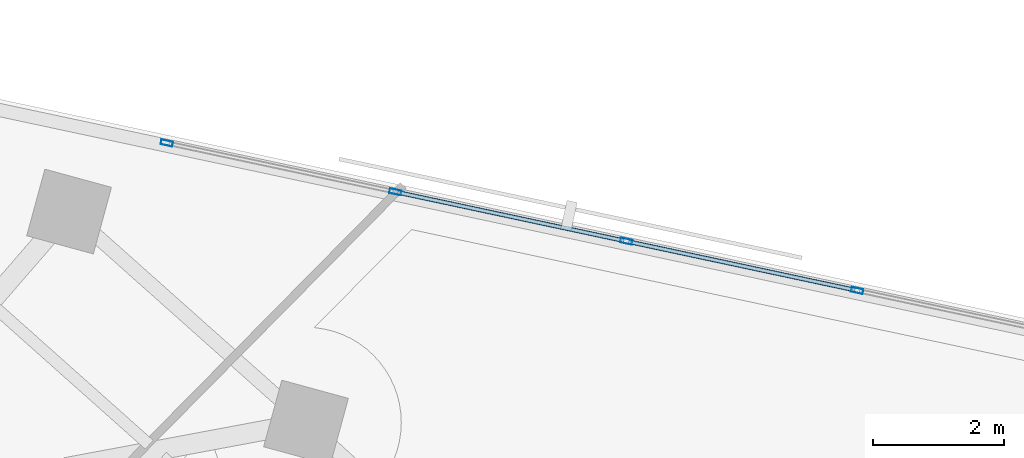
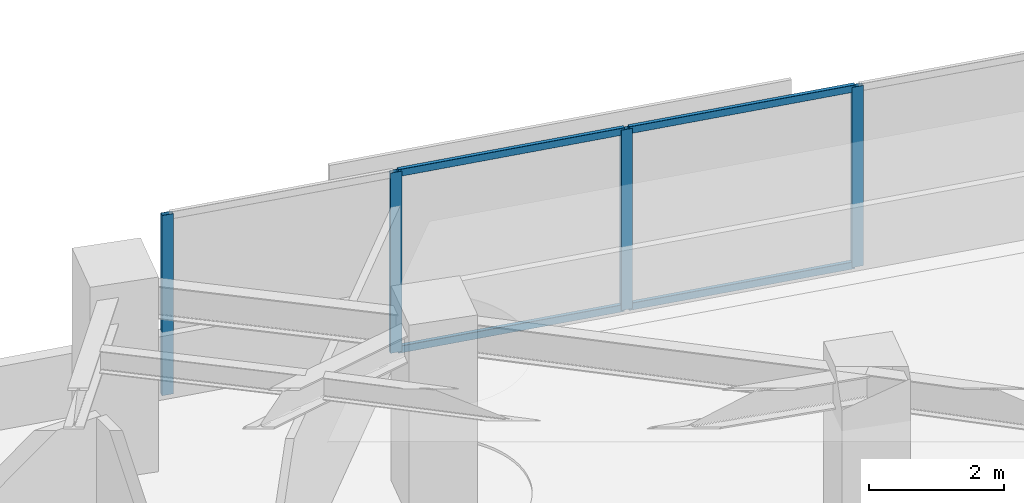
# One storey, part 4 of 13: 8 members, 1 element without a shape of its own.
"""IFC4 building model written with IfcOpenShell, lengths in metres."""

from ifc_helpers import new_model, si_unit, direction, frame, origin, origin_2d, place, context, subcontext, project, spatial, hollow_rectangle, extrude, material, material_profile, profile_set, type_object, element, aggregate, save


model = new_model("IFC4")

# Units and contexts
model_context = context("Model", 3, precision=1e-05, world=origin(), true_north=direction((0.0, 1.0)))
body_context = subcontext(model_context, "Body", "Model", "MODEL_VIEW")
ifc_project = project(units=[si_unit("LENGTHUNIT", "METRE"), si_unit("AREAUNIT", "SQUARE_METRE"), si_unit("VOLUMEUNIT", "CUBIC_METRE"), si_unit("PLANEANGLEUNIT", "RADIAN"), si_unit("MASSUNIT", "GRAM", prefix="KILO")], contexts=[model_context])

# Site, building, storey
site_placement = place(None, origin())
site = spatial("IfcSite", under=ifc_project, at=site_placement, CompositionType="ELEMENT")
building_placement = place(site_placement, origin())
building = spatial("IfcBuilding", under=site, at=building_placement, Name="Narakoshi Arena Tower", CompositionType="ELEMENT")
storey_placement = place(building_placement, frame((0.0, 0.0, 222.02001953125)))
storey = spatial("IfcBuildingStorey", under=building, at=storey_placement, Name="L60", CompositionType="ELEMENT", Elevation=222.02001953125)

# Curtain wall, members
ifc_material = material(Name="Anodised bronze aluminium 6063-T6", Category="aluminium")
curtain_wall_type = type_object("IfcCurtainWallType", Name="CW-HYP-MID", PredefinedType="NOTDEFINED", material=ifc_material)
curtain_wall_placement = place(storey_placement, origin())
curtain_wall = element("IfcCurtainWall", 1, at=curtain_wall_placement, inside=storey, type_object=curtain_wall_type, Name="L60 Folded Hypotenuse Curtain Wall 1-1", PredefinedType="NOTDEFINED")
ifc_material_profile_1 = material_profile(ifc_material, hollow_rectangle(XDim=0.074951171875, YDim=0.179931640625, WallThickness=0.00390625, OuterFilletRadius=0.0048828125, at=origin_2d()), Name="MUL180x75x4")
ifc_profile_set_1 = profile_set([ifc_material_profile_1], Name="Anodised bronze aluminium 6063-T6")
member_type_1 = type_object("IfcMemberType", Name="MEM-MUL-180", PredefinedType="MULLION", material=ifc_profile_set_1)
member_1_placement = place(storey_placement, frame((101.553955078125, 59.932861328125, 0.0), z_axis=(0.0, 0.0, 1.0), x_axis=(-0.208899163248, -0.977937185914, 0.0)))
member_1 = element("IfcMember", 2, at=member_1_placement, type_object=member_type_1, Name="CW-02 mullion 5", PredefinedType="MULLION", context=body_context, shape_type="SweptSolid", body=[
    extrude(hollow_rectangle(XDim=0.074951171875, YDim=0.179931640625, WallThickness=0.00390625, OuterFilletRadius=0.0048828125, at=origin_2d()), origin(), (0.0, 0.0, 1.0), 3.260009765625),
])
member_2_placement = place(storey_placement, frame((98.0400390625, 60.68359375, 0.0), z_axis=(0.0, 0.0, 1.0), x_axis=(-0.208899163248, -0.977937185914, 0.0)))
member_2 = element("IfcMember", 3, at=member_2_placement, type_object=member_type_1, Name="CW-02 mullion 6", PredefinedType="MULLION", context=body_context, shape_type="SweptSolid", body=[
    extrude(hollow_rectangle(XDim=0.074951171875, YDim=0.179931640625, WallThickness=0.00390625, OuterFilletRadius=0.0048828125, at=origin_2d()), origin(), (0.0, 0.0, 1.0), 3.260009765625),
])
member_3_placement = place(storey_placement, frame((94.52587890625, 61.434326171875, 0.0), z_axis=(0.0, 0.0, 1.0), x_axis=(-0.208899163248, -0.977937185914, 0.0)))
member_3 = element("IfcMember", 4, at=member_3_placement, type_object=member_type_1, Name="CW-02 mullion 7", PredefinedType="MULLION", context=body_context, shape_type="SweptSolid", body=[
    extrude(hollow_rectangle(XDim=0.074951171875, YDim=0.179931640625, WallThickness=0.00390625, OuterFilletRadius=0.0048828125, at=origin_2d()), origin(), (0.0, 0.0, 1.0), 3.260009765625),
])
member_4_placement = place(storey_placement, frame((91.04833984375, 62.177001953125, 0.0), z_axis=(0.0, 0.0, 1.0), x_axis=(-0.208899163248, -0.977937185914, 0.0)))
member_4 = element("IfcMember", 5, at=member_4_placement, type_object=member_type_1, Name="CW-02 mullion 8", PredefinedType="MULLION", context=body_context, shape_type="SweptSolid", body=[
    extrude(hollow_rectangle(XDim=0.074951171875, YDim=0.179931640625, WallThickness=0.00390625, OuterFilletRadius=0.0048828125, at=origin_2d()), origin(), (0.0, 0.0, 1.0), 3.260009765625),
])
ifc_material_profile_2 = material_profile(ifc_material, hollow_rectangle(XDim=0.06494140625, YDim=0.1298828125, WallThickness=0.00390625, OuterFilletRadius=0.0048828125, at=origin_2d()), Name="TRN130x65x4")
ifc_profile_set_2 = profile_set([ifc_material_profile_2], Name="Anodised bronze aluminium 6063-T6")
member_type_2 = type_object("IfcMemberType", Name="MEM-TRN-130", PredefinedType="USERDEFINED", material=ifc_profile_set_2)
member_5_placement = place(storey_placement, frame((101.517333984375, 59.940673828125, 0.032470703125), z_axis=(-0.977929169638, 0.208936686992, 0.0), x_axis=(-0.208936686992, -0.977929169638, 0.0)))
member_5 = element("IfcMember", 6, at=member_5_placement, type_object=member_type_2, Name="CW-02 transom 5.1", ObjectType="TRANSOM", PredefinedType="USERDEFINED", context=body_context, shape_type="SweptSolid", body=[
    extrude(hollow_rectangle(XDim=0.06494140625, YDim=0.1298828125, WallThickness=0.00390625, OuterFilletRadius=0.0048828125, at=origin_2d()), origin(), (0.0, 0.0, 1.0), 3.518310546875),
])
member_6_placement = place(storey_placement, frame((101.517333984375, 59.940673828125, 3.2275390625), z_axis=(-0.977929169638, 0.208936686992, 0.0), x_axis=(-0.208936686992, -0.977929169638, 0.0)))
member_6 = element("IfcMember", 7, at=member_6_placement, type_object=member_type_2, Name="CW-02 transom 5.2", ObjectType="TRANSOM", PredefinedType="USERDEFINED", context=body_context, shape_type="SweptSolid", body=[
    extrude(hollow_rectangle(XDim=0.06494140625, YDim=0.1298828125, WallThickness=0.00390625, OuterFilletRadius=0.0048828125, at=origin_2d()), origin(), (0.0, 0.0, 1.0), 3.518310546875),
])
member_7_placement = place(storey_placement, frame((98.003173828125, 60.69140625, 0.032470703125), z_axis=(-0.977929169638, 0.208936686992, 0.0), x_axis=(-0.208936686992, -0.977929169638, 0.0)))
member_7 = element("IfcMember", 8, at=member_7_placement, type_object=member_type_2, Name="CW-02 transom 6.1", ObjectType="TRANSOM", PredefinedType="USERDEFINED", context=body_context, shape_type="SweptSolid", body=[
    extrude(hollow_rectangle(XDim=0.06494140625, YDim=0.1298828125, WallThickness=0.00390625, OuterFilletRadius=0.0048828125, at=origin_2d()), origin(), (0.0, 0.0, 1.0), 3.518310546875),
])
member_8_placement = place(storey_placement, frame((98.003173828125, 60.69140625, 3.2275390625), z_axis=(-0.977929169638, 0.208936686992, 0.0), x_axis=(-0.208936686992, -0.977929169638, 0.0)))
member_8 = element("IfcMember", 9, at=member_8_placement, type_object=member_type_2, Name="CW-02 transom 6.2", ObjectType="TRANSOM", PredefinedType="USERDEFINED", context=body_context, shape_type="SweptSolid", body=[
    extrude(hollow_rectangle(XDim=0.06494140625, YDim=0.1298828125, WallThickness=0.00390625, OuterFilletRadius=0.0048828125, at=origin_2d()), origin(), (0.0, 0.0, 1.0), 3.518310546875),
])
aggregate(curtain_wall, [member_1, member_2, member_3, member_4, member_5, member_6, member_7, member_8])

save(model, "model.ifc")
